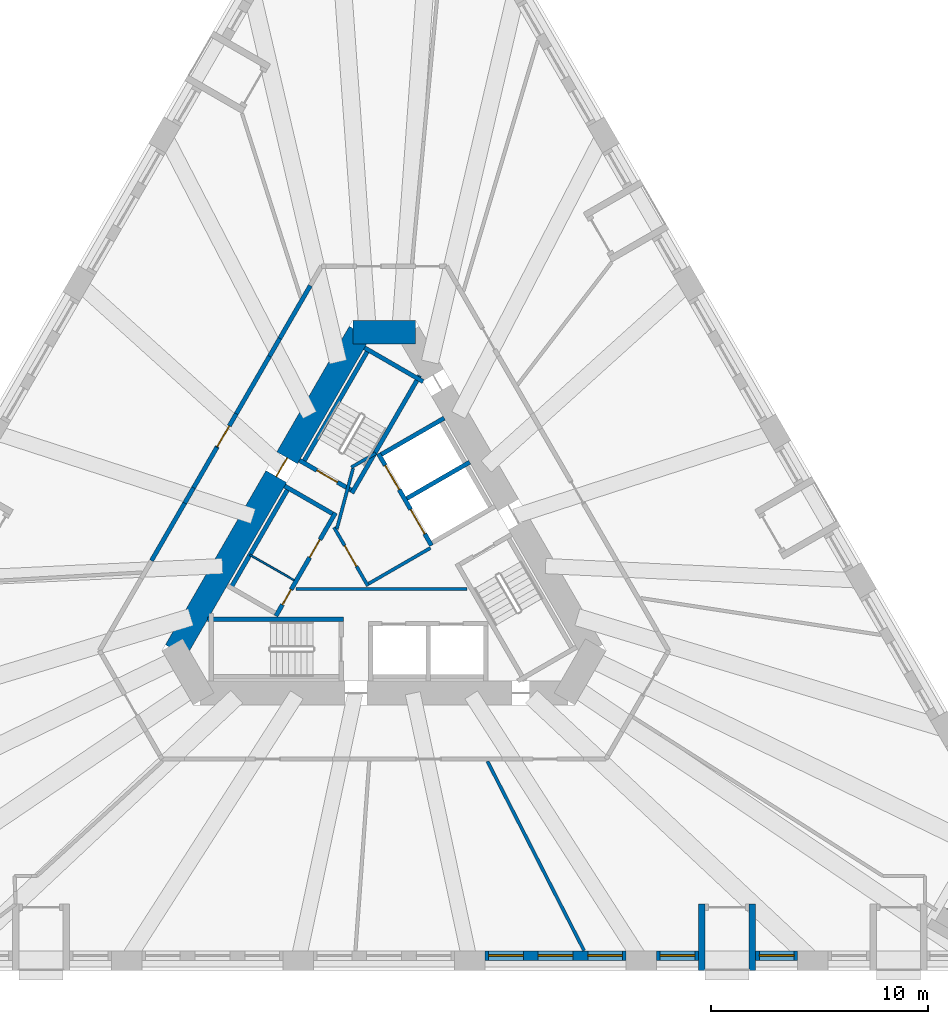
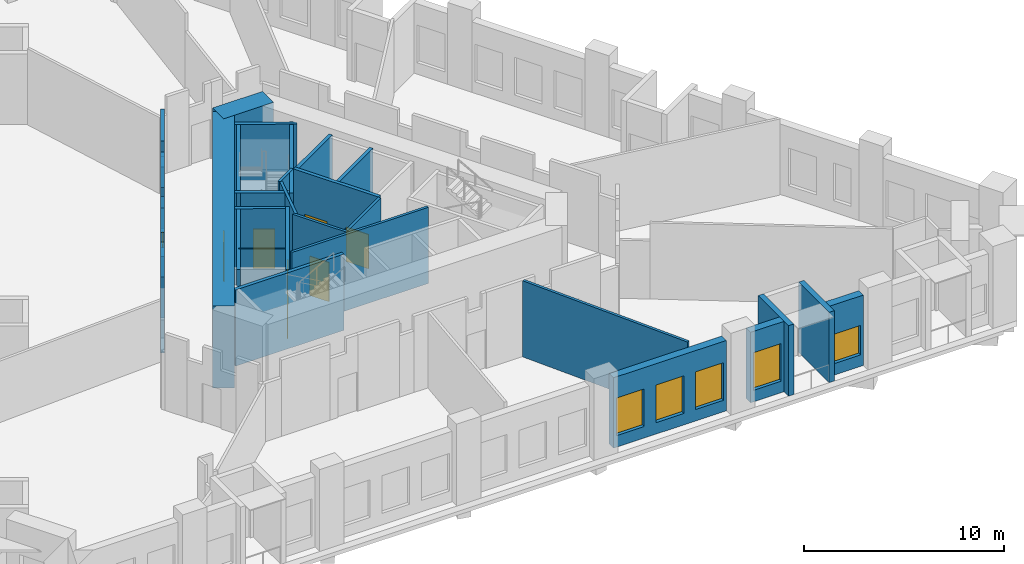
# One storey, part 4 of 12: 32 walls, 8 doors, 5 windows, 13 openings.
"""IFC4 building model written with IfcOpenShell, lengths in metres."""

from ifc_helpers import new_model, si_unit, direction, frame, frame_2d, origin, place, context, subcontext, project, spatial, polyline, rectangle, outline, extrude, material, layer, layer_set, type_object, element, fill, save


model = new_model("IFC4")

# Units and contexts
model_context = context("Model", 3, precision=1e-05, world=origin(), true_north=direction((0.0, 1.0)))
body_context = subcontext(model_context, "Body", "Model", "MODEL_VIEW")
ifc_project = project(units=[si_unit("LENGTHUNIT", "METRE"), si_unit("AREAUNIT", "SQUARE_METRE"), si_unit("VOLUMEUNIT", "CUBIC_METRE"), si_unit("PLANEANGLEUNIT", "RADIAN"), si_unit("MASSUNIT", "GRAM", prefix="KILO")], contexts=[model_context])

# Site, building, storey
site_placement = place(None, origin())
site = spatial("IfcSite", under=ifc_project, at=site_placement, CompositionType="ELEMENT")
building_placement = place(site_placement, origin())
building = spatial("IfcBuilding", under=site, at=building_placement, Name="Tramontana Tower", CompositionType="ELEMENT")
storey_placement = place(building_placement, frame((0.0, 0.0, 25.0)))
storey = spatial("IfcBuildingStorey", under=building, at=storey_placement, Name="L04", CompositionType="ELEMENT", Elevation=25.0)

# Wall
ifc_material_1 = material(Name="Concrete 70 MPa", Category="concrete")
ifc_layer_1 = layer(ifc_material_1, 1.10009765625)
ifc_layer_set_1 = layer_set([ifc_layer_1], Name="Core wall 1100 70 MPa")
wall_type_1 = type_object("IfcWallType", Name="Core wall 1100 70 MPa", PredefinedType="SHEAR", material=ifc_layer_set_1)
wall_1_placement = place(storey_placement, frame((1.443359375, 10.449951171875, 0.0), z_axis=(0.0, 0.0, 1.0), x_axis=(-1.0, 0.0, 0.0)))
element("IfcWall", 1, at=wall_1_placement, inside=storey, type_object=wall_type_1, Name="Core wall C0 L04", PredefinedType="SHEAR", context=body_context, shape_type="SweptSolid", body=[
    extrude(rectangle(XDim=2.88671875, YDim=1.10009765625, at=frame_2d((1.443359375, 0.0))), origin(), (0.0, 0.0, 1.0), 5.0),
])

# Wall, opening, door
wall_2_placement = place(storey_placement, frame((-1.125732421875, 10.449951171875, 0.0), z_axis=(0.0, 0.0, 1.0), x_axis=(-0.500001757713, -0.866024388966, 0.0)))
wall_2 = element("IfcWall", 2, at=wall_2_placement, inside=storey, type_object=wall_type_1, Name="Core wall C1 L04", PredefinedType="SHEAR", context=body_context, shape_type="SweptSolid", body=[
    extrude(rectangle(XDim=16.97412109375, YDim=1.10009765625, at=frame_2d((8.487060546875, 0.0))), origin(), (0.0, 0.0, 1.0), 5.0),
])
opening_1_placement = place(wall_2_placement, frame((6.692138671875, 0.0, 0.0)))
opening_1 = element("IfcOpeningElement", 3, at=opening_1_placement, cuts=wall_2, Name="Opening RG1", PredefinedType="OPENING", context=body_context, shape_type="SweptSolid", body=[
    extrude(rectangle(XDim=1.0, YDim=2.39990234375, at=frame_2d((0.5, 1.199951171875))), frame((0.0, 0.56005859375, 0.0), z_axis=(0.0, -1.0, 0.0), x_axis=(1.0, 0.0, 0.0)), (0.0, 0.0, 1.0), 1.1201171875),
])
ifc_material_2 = material(Name="Painted steel", Category="steel")
door_type_1 = type_object("IfcDoorType", Name="RING DOOR 1000", OperationType="SINGLE_SWING_LEFT", PredefinedType="DOOR", material=ifc_material_2)
door_1_placement = place(opening_1_placement, origin())
door_1 = element("IfcDoor", 4, at=door_1_placement, inside=storey, type_object=door_type_1, Name="Door RG1", OperationType="SINGLE_SWING_RIGHT", OverallHeight=2.39990234375, OverallWidth=1.0, PredefinedType="DOOR", context=body_context, shape_type="SweptSolid", body=[
    extrude(rectangle(XDim=1.0, YDim=2.39990234375, at=frame_2d((0.5, 1.199951171875))), frame((0.0, 0.02490234375, 0.0), z_axis=(0.0, -1.0, 0.0), x_axis=(1.0, 0.0, 0.0)), (0.0, 0.0, 1.0), 0.050048828125),
])
fill(opening_1, door_1)

# Walls
ifc_material_3 = material(Name="Blockwork", Category="masonry")
ifc_layer_2 = layer(ifc_material_3, 0.199951171875)
ifc_layer_set_2 = layer_set([ifc_layer_2], Name="ENTRY WALL 200")
wall_type_2 = type_object("IfcWallType", Name="ENTRY WALL 200", PredefinedType="SOLIDWALL", material=ifc_layer_set_2)
wall_3_placement = place(storey_placement, frame((-10.734375, -0.0927734375, 0.0), z_axis=(0.0, 0.0, 1.0), x_axis=(0.499952348839, 0.866052913447, 0.0)))
element("IfcWall", 5, at=wall_3_placement, inside=storey, type_object=wall_type_2, Name="Wall ew4-3", PredefinedType="SOLIDWALL", context=body_context, shape_type="SweptSolid", body=[
    extrude(rectangle(XDim=3.064208984375, YDim=0.199951171875, at=frame_2d((1.5322265625, 0.0))), origin(), (0.0, 0.0, 1.0), 4.64990234375),
])
wall_4_placement = place(storey_placement, frame((-9.202392578125, 2.56103515625, 0.0), z_axis=(0.0, 0.0, 1.0), x_axis=(0.500118501653, 0.865956976012, 0.0)))
element("IfcWall", 6, at=wall_4_placement, inside=storey, type_object=wall_type_2, Name="Wall ew4-4", PredefinedType="SOLIDWALL", context=body_context, shape_type="SweptSolid", body=[
    extrude(rectangle(XDim=0.818115234375, YDim=0.199951171875, at=frame_2d((0.4091796875, 0.0))), origin(), (0.0, 0.0, 1.0), 3.75),
])
wall_5_placement = place(storey_placement, frame((-8.793212890625, 3.26953125, 0.0), z_axis=(0.0, 0.0, 1.0), x_axis=(0.499909024581, 0.866077922096, 0.0)))
element("IfcWall", 7, at=wall_5_placement, inside=storey, type_object=wall_type_2, Name="Wall ew4-5", PredefinedType="SOLIDWALL", context=body_context, shape_type="SweptSolid", body=[
    extrude(rectangle(XDim=2.15234375, YDim=0.199951171875, at=frame_2d((1.076171875, 0.0))), origin(), (0.0, 0.0, 1.0), 4.64990234375),
])

# Wall, opening, door
wall_6_placement = place(storey_placement, frame((-7.71728515625, 5.133544921875, 0.0), z_axis=(0.0, 0.0, 1.0), x_axis=(0.5000715057, 0.865984116013, 0.0)))
wall_6 = element("IfcWall", 8, at=wall_6_placement, inside=storey, type_object=wall_type_2, Name="Wall ew4-6", PredefinedType="SOLIDWALL", context=body_context, shape_type="SweptSolid", body=[
    extrude(outline(polyline([(0.0, 0.0), (1.796142578125, 0.0), (1.796142578125, 3.75), (0.97802734375, 3.75), (0.97802734375, 4.64990234375), (0.0, 4.64990234375), (0.0, 0.0)])), frame((0.0, 0.10009765625, 0.0), z_axis=(0.0, -1.0, 0.0), x_axis=(1.0, 0.0, 0.0)), (0.0, 0.0, 1.0), 0.199951171875),
])
opening_2_placement = place(wall_6_placement, frame((0.050048828125, 0.0, 0.0)))
opening_2 = element("IfcOpeningElement", 9, at=opening_2_placement, cuts=wall_6, Name="Opening L04-01", PredefinedType="OPENING", context=body_context, shape_type="SweptSolid", body=[
    extrude(rectangle(XDim=1.10009765625, YDim=2.39990234375, at=frame_2d((0.550048828125, 1.199951171875))), frame((0.0, 0.10986328125, 0.0), z_axis=(0.0, -1.0, 0.0), x_axis=(1.0, 0.0, 0.0)), (0.0, 0.0, 1.0), 0.219970703125),
])
ifc_material_4 = material(Name="Painted timber", Category="wood")
door_type_2 = type_object("IfcDoorType", Name="DOOR ENTRY 1100", OperationType="SINGLE_SWING_LEFT", PredefinedType="DOOR", material=ifc_material_4)
door_2_placement = place(opening_2_placement, origin())
door_2 = element("IfcDoor", 10, at=door_2_placement, inside=storey, type_object=door_type_2, Name="Door L04-01", OperationType="SINGLE_SWING_LEFT", OverallHeight=2.39990234375, OverallWidth=1.10009765625, PredefinedType="DOOR", context=body_context, shape_type="SweptSolid", body=[
    extrude(rectangle(XDim=1.10009765625, YDim=2.39990234375, at=frame_2d((0.550048828125, 1.199951171875))), frame((0.0, 0.02490234375, 0.0), z_axis=(0.0, -1.0, 0.0), x_axis=(1.0, 0.0, 0.0)), (0.0, 0.0, 1.0), 0.050048828125),
])
fill(opening_2, door_2)

# Walls
wall_7_placement = place(storey_placement, frame((-6.819091796875, 6.68896484375, 0.0), z_axis=(0.0, 0.0, 1.0), x_axis=(0.499952348839, 0.866052913447, 0.0)))
element("IfcWall", 11, at=wall_7_placement, inside=storey, type_object=wall_type_2, Name="Wall ew4-7", PredefinedType="SOLIDWALL", context=body_context, shape_type="SweptSolid", body=[
    extrude(rectangle(XDim=3.064208984375, YDim=0.199951171875, at=frame_2d((1.5322265625, 0.0))), origin(), (0.0, 0.0, 1.0), 4.64990234375),
])
wall_8_placement = place(storey_placement, frame((-5.287109375, 9.3427734375, 0.0), z_axis=(0.0, 0.0, 1.0), x_axis=(0.500174821557, 0.865924446982, 0.0)))
element("IfcWall", 12, at=wall_8_placement, inside=storey, type_object=wall_type_2, Name="Wall ew4-8", PredefinedType="SOLIDWALL", context=body_context, shape_type="SweptSolid", body=[
    extrude(rectangle(XDim=0.949951171875, YDim=0.199951171875, at=frame_2d((0.47509765625, 0.0))), origin(), (0.0, 0.0, 1.0), 3.75),
])
wall_9_placement = place(storey_placement, frame((-4.81201171875, 10.165283203125, 0.0), z_axis=(0.0, 0.0, 1.0), x_axis=(0.500000186108, 0.866025296335, 0.0)))
element("IfcWall", 13, at=wall_9_placement, inside=storey, type_object=wall_type_2, Name="Wall ew4-9", PredefinedType="SOLIDWALL", context=body_context, shape_type="SweptSolid", body=[
    extrude(rectangle(XDim=2.8154296875, YDim=0.199951171875, at=frame_2d((1.40771484375, 0.0))), origin(), (0.0, 0.0, 1.0), 4.64990234375),
])

# Wall, openings, windows
ifc_material_5 = material(Name="Precast concrete 60 MPa", Category="concrete")
ifc_layer_3 = layer(ifc_material_5, 0.449951171875)
ifc_layer_set_3 = layer_set([ifc_layer_3], Name="Precast concrete 60 MPa, 450 mm")
wall_type_3 = type_object("IfcWallType", Name="EW1 Stone-faced precast wall 450", PredefinedType="SOLIDWALL", material=ifc_layer_set_3)
wall_10_placement = place(storey_placement, frame((4.658935546875, -18.324951171875, 0.0), z_axis=(0.0, 0.0, 1.0), x_axis=(1.0, 0.0, 0.0)))
wall_10 = element("IfcWall", 14, at=wall_10_placement, inside=storey, type_object=wall_type_3, Name="External wall L04 face 1 bay 5", PredefinedType="SOLIDWALL", context=body_context, shape_type="SweptSolid", body=[
    extrude(rectangle(XDim=6.51806640625, YDim=0.449951171875, at=frame_2d((3.259033203125, 0.0))), origin(), (0.0, 0.0, 1.0), 4.300048828125),
])
opening_3_placement = place(wall_10_placement, frame((0.169677734375, 0.0, 0.699951171875)))
opening_3 = element("IfcOpeningElement", 15, at=opening_3_placement, cuts=wall_10, Name="Opening M1", PredefinedType="OPENING", context=body_context, shape_type="SweptSolid", body=[
    extrude(rectangle(XDim=1.60009765625, YDim=2.300048828125, at=frame_2d((0.800048828125, 1.14990234375))), frame((0.0, 0.23486328125, 0.0), z_axis=(0.0, -1.0, 0.0), x_axis=(1.0, 0.0, 0.0)), (0.0, 0.0, 1.0), 0.469970703125),
])
opening_4_placement = place(wall_10_placement, frame((2.458984375, 0.0, 0.699951171875)))
opening_4 = element("IfcOpeningElement", 16, at=opening_4_placement, cuts=wall_10, Name="Opening M1", PredefinedType="OPENING", context=body_context, shape_type="SweptSolid", body=[
    extrude(rectangle(XDim=1.60009765625, YDim=2.300048828125, at=frame_2d((0.800048828125, 1.14990234375))), frame((0.0, 0.23486328125, 0.0), z_axis=(0.0, -1.0, 0.0), x_axis=(1.0, 0.0, 0.0)), (0.0, 0.0, 1.0), 0.469970703125),
])
opening_5_placement = place(wall_10_placement, frame((4.748291015625, 0.0, 0.699951171875)))
opening_5 = element("IfcOpeningElement", 17, at=opening_5_placement, cuts=wall_10, Name="Opening M1", PredefinedType="OPENING", context=body_context, shape_type="SweptSolid", body=[
    extrude(rectangle(XDim=1.60009765625, YDim=2.300048828125, at=frame_2d((0.800048828125, 1.14990234375))), frame((0.0, 0.23486328125, 0.0), z_axis=(0.0, -1.0, 0.0), x_axis=(1.0, 0.0, 0.0)), (0.0, 0.0, 1.0), 0.469970703125),
])
ifc_material_6 = material(Name="Aluminum frame, double glazing unit", Category="aluminium")
window_type_1 = type_object("IfcWindowType", Name="M1 Window 1.6 x 2.3", PartitioningType="SINGLE_PANEL", PredefinedType="WINDOW", material=ifc_material_6)
window_1_placement = place(opening_3_placement, origin())
window_1 = element("IfcWindow", 18, at=window_1_placement, inside=storey, type_object=window_type_1, Name="Window M1 L04 face 1 module 13", OverallHeight=2.300048828125, OverallWidth=1.60009765625, PartitioningType="SINGLE_PANEL", PredefinedType="WINDOW", context=body_context, shape_type="SweptSolid", body=[
    extrude(rectangle(XDim=1.60009765625, YDim=2.300048828125, at=frame_2d((0.800048828125, 1.14990234375))), frame((0.0, 0.030029296875, 0.0), z_axis=(0.0, -1.0, 0.0), x_axis=(1.0, 0.0, 0.0)), (0.0, 0.0, 1.0), 0.06005859375),
])
fill(opening_3, window_1)
window_2_placement = place(opening_4_placement, origin())
window_2 = element("IfcWindow", 19, at=window_2_placement, inside=storey, type_object=window_type_1, Name="Window M1 L04 face 1 module 14", OverallHeight=2.300048828125, OverallWidth=1.60009765625, PartitioningType="SINGLE_PANEL", PredefinedType="WINDOW", context=body_context, shape_type="SweptSolid", body=[
    extrude(rectangle(XDim=1.60009765625, YDim=2.300048828125, at=frame_2d((0.800048828125, 1.14990234375))), frame((0.0, 0.030029296875, 0.0), z_axis=(0.0, -1.0, 0.0), x_axis=(1.0, 0.0, 0.0)), (0.0, 0.0, 1.0), 0.06005859375),
])
fill(opening_4, window_2)
window_3_placement = place(opening_5_placement, origin())
window_3 = element("IfcWindow", 20, at=window_3_placement, inside=storey, type_object=window_type_1, Name="Window M1 L04 face 1 module 15", OverallHeight=2.300048828125, OverallWidth=1.60009765625, PartitioningType="SINGLE_PANEL", PredefinedType="WINDOW", context=body_context, shape_type="SweptSolid", body=[
    extrude(rectangle(XDim=1.60009765625, YDim=2.300048828125, at=frame_2d((0.800048828125, 1.14990234375))), frame((0.0, 0.030029296875, 0.0), z_axis=(0.0, -1.0, 0.0), x_axis=(1.0, 0.0, 0.0)), (0.0, 0.0, 1.0), 0.06005859375),
])
fill(opening_5, window_3)

# Wall, opening, window
wall_11_placement = place(storey_placement, frame((12.576904296875, -18.324951171875, 0.0), z_axis=(0.0, 0.0, 1.0), x_axis=(1.0, 0.0, 0.0)))
wall_11 = element("IfcWall", 21, at=wall_11_placement, inside=storey, type_object=wall_type_3, Name="External wall L04 face 1 bay 6", PredefinedType="SOLIDWALL", context=body_context, shape_type="SweptSolid", body=[
    extrude(rectangle(XDim=1.939208984375, YDim=0.449951171875, at=frame_2d((0.9697265625, 0.0))), origin(), (0.0, 0.0, 1.0), 4.300048828125),
])
opening_6_placement = place(wall_11_placement, frame((0.169677734375, 0.0, 0.699951171875)))
opening_6 = element("IfcOpeningElement", 22, at=opening_6_placement, cuts=wall_11, Name="Opening M1", PredefinedType="OPENING", context=body_context, shape_type="SweptSolid", body=[
    extrude(rectangle(XDim=1.60009765625, YDim=2.300048828125, at=frame_2d((0.800048828125, 1.14990234375))), frame((0.0, 0.23486328125, 0.0), z_axis=(0.0, -1.0, 0.0), x_axis=(1.0, 0.0, 0.0)), (0.0, 0.0, 1.0), 0.469970703125),
])
window_4_placement = place(opening_6_placement, origin())
window_4 = element("IfcWindow", 23, at=window_4_placement, inside=storey, type_object=window_type_1, Name="Window M1 L04 face 1 module 16", OverallHeight=2.300048828125, OverallWidth=1.60009765625, PartitioningType="SINGLE_PANEL", PredefinedType="WINDOW", context=body_context, shape_type="SweptSolid", body=[
    extrude(rectangle(XDim=1.60009765625, YDim=2.300048828125, at=frame_2d((0.800048828125, 1.14990234375))), frame((0.0, 0.030029296875, 0.0), z_axis=(0.0, -1.0, 0.0), x_axis=(1.0, 0.0, 0.0)), (0.0, 0.0, 1.0), 0.06005859375),
])
fill(opening_6, window_4)

wall_12_placement = place(storey_placement, frame((17.155517578125, -18.324951171875, 0.0), z_axis=(0.0, 0.0, 1.0), x_axis=(1.0, 0.0, 0.0)))
wall_12 = element("IfcWall", 24, at=wall_12_placement, inside=storey, type_object=wall_type_3, Name="External wall L04 face 1 bay 6", PredefinedType="SOLIDWALL", context=body_context, shape_type="SweptSolid", body=[
    extrude(rectangle(XDim=1.939453125, YDim=0.449951171875, at=frame_2d((0.9697265625, 0.0))), origin(), (0.0, 0.0, 1.0), 4.300048828125),
])
opening_7_placement = place(wall_12_placement, frame((0.169677734375, 0.0, 0.699951171875)))
opening_7 = element("IfcOpeningElement", 25, at=opening_7_placement, cuts=wall_12, Name="Opening M1L", PredefinedType="OPENING", context=body_context, shape_type="SweptSolid", body=[
    extrude(rectangle(XDim=1.60009765625, YDim=1.800048828125, at=frame_2d((0.800048828125, 0.89990234375))), frame((0.0, 0.23486328125, 0.0), z_axis=(0.0, -1.0, 0.0), x_axis=(1.0, 0.0, 0.0)), (0.0, 0.0, 1.0), 0.469970703125),
])
ifc_material_7 = material(Name="Aluminum frame, double glazing unit", Category="aluminium")
window_type_2 = type_object("IfcWindowType", Name="M1L Window 1.6 x 1.8", PartitioningType="SINGLE_PANEL", PredefinedType="WINDOW", material=ifc_material_7)
window_5_placement = place(opening_7_placement, origin())
window_5 = element("IfcWindow", 26, at=window_5_placement, inside=storey, type_object=window_type_2, Name="Window M1L L04 face 1 module 18", OverallHeight=1.800048828125, OverallWidth=1.60009765625, PartitioningType="SINGLE_PANEL", PredefinedType="WINDOW", context=body_context, shape_type="SweptSolid", body=[
    extrude(rectangle(XDim=1.60009765625, YDim=1.800048828125, at=frame_2d((0.800048828125, 0.89990234375))), frame((0.0, 0.030029296875, 0.0), z_axis=(0.0, -1.0, 0.0), x_axis=(1.0, 0.0, 0.0)), (0.0, 0.0, 1.0), 0.06005859375),
])
fill(opening_7, window_5)

# Walls
ifc_material_8 = material(Name="Precast concrete 60 MPa", Category="concrete")
ifc_layer_4 = layer(ifc_material_8, 0.300048828125)
ifc_layer_set_4 = layer_set([ifc_layer_4], Name="LW1 Stone-faced loggia wall 300")
wall_type_4 = type_object("IfcWallType", Name="LW1 Stone-faced loggia wall 300", PredefinedType="SOLIDWALL", material=ifc_layer_set_4)
for number, where, z_axis, x_axis, name in (
    (27, (14.666259765625, -19.0, 0.0), (0.0, 0.0, 1.0), (0.0, 1.0, 0.0), "Loggia return L04 G0S1.16a"),
    (28, (17.005615234375, -19.0, 0.0), (0.0, 0.0, 1.0), (0.0, 1.0, 0.0), "Loggia return L04 G0S1.16b"),
):
    element("IfcWall", number, at=place(storey_placement, frame(where, z_axis=z_axis, x_axis=x_axis)), inside=storey, type_object=wall_type_4, Name=name, PredefinedType="SOLIDWALL", context=body_context, shape_type="SweptSolid", body=[
        extrude(rectangle(XDim=3.050048828125, YDim=0.300048828125, at=frame_2d((1.52490234375, 0.0))), origin(), (0.0, 0.0, 1.0), 4.300048828125),
    ])

# Wall, opening, door
ifc_material_9 = material(Name="Gypsum board partition")
ifc_layer_5 = layer(ifc_material_9, 0.14990234375)
ifc_layer_set_5 = layer_set([ifc_layer_5], Name="PARTITION 150")
wall_type_5 = type_object("IfcWallType", Name="PARTITION 150", PredefinedType="PARTITIONING", material=ifc_layer_set_5)
wall_13_placement = place(storey_placement, frame((-0.744140625, -1.260986328125, 0.0), z_axis=(0.0, 0.0, 1.0), x_axis=(-0.500004234368, 0.866022959057, 0.0)))
wall_13 = element("IfcWall", 29, at=wall_13_placement, inside=storey, type_object=wall_type_5, Name="Wall ff-front", PredefinedType="PARTITIONING", context=body_context, shape_type="SweptSolid", body=[
    extrude(rectangle(XDim=3.125, YDim=0.14990234375, at=frame_2d((1.5625, 0.0))), origin(), (0.0, 0.0, 1.0), 4.64990234375),
])
opening_8_placement = place(wall_13_placement, frame((1.050048828125, 0.0, 0.0)))
opening_8 = element("IfcOpeningElement", 30, at=opening_8_placement, cuts=wall_13, Name="Opening FD1", PredefinedType="OPENING", context=body_context, shape_type="SweptSolid", body=[
    extrude(rectangle(XDim=1.10009765625, YDim=2.39990234375, at=frame_2d((0.550048828125, 1.199951171875))), frame((0.0, 0.0849609375, 0.0), z_axis=(0.0, -1.0, 0.0), x_axis=(1.0, 0.0, 0.0)), (0.0, 0.0, 1.0), 0.169921875),
])
door_3_placement = place(opening_8_placement, origin())
door_3 = element("IfcDoor", 31, at=door_3_placement, inside=storey, type_object=door_type_2, Name="Door FD1", OperationType="SINGLE_SWING_LEFT", OverallHeight=2.39990234375, OverallWidth=1.10009765625, PredefinedType="DOOR", context=body_context, shape_type="SweptSolid", body=[
    extrude(rectangle(XDim=1.10009765625, YDim=2.39990234375, at=frame_2d((0.550048828125, 1.199951171875))), frame((0.0, 0.02490234375, 0.0), z_axis=(0.0, -1.0, 0.0), x_axis=(1.0, 0.0, 0.0)), (0.0, 0.0, 1.0), 0.050048828125),
])
fill(opening_8, door_3)

# Walls
wall_14_placement = place(storey_placement, frame((-0.716796875, -1.15869140625, 0.0), z_axis=(0.0, 0.0, 1.0), x_axis=(0.866008176907, 0.50002983664, 0.0)))
element("IfcWall", 32, at=wall_14_placement, inside=storey, type_object=wall_type_5, Name="Wall ff-end0", PredefinedType="PARTITIONING", context=body_context, shape_type="SweptSolid", body=[
    extrude(rectangle(XDim=3.300048828125, YDim=0.14990234375, at=frame_2d((1.64990234375, 0.0))), origin(), (0.0, 0.0, 1.0), 4.64990234375),
])
wall_15_placement = place(storey_placement, frame((-2.177978515625, 1.372314453125, 0.0), z_axis=(0.0, 0.0, 1.0), x_axis=(0.258808958833, 0.96592852884, 0.0)))
element("IfcWall", 33, at=wall_15_placement, inside=storey, type_object=wall_type_5, Name="Wall ff-diag", PredefinedType="PARTITIONING", context=body_context, shape_type="SweptSolid", body=[
    extrude(rectangle(XDim=2.902587890625, YDim=0.14990234375, at=frame_2d((1.451171875, 0.0))), origin(), (0.0, 0.0, 1.0), 4.64990234375),
])
wall_16_placement = place(storey_placement, frame((-1.509765625, 4.21484375, 0.0), z_axis=(0.0, 0.0, 1.0), x_axis=(0.866085525409, 0.49989585183, 0.0)))
element("IfcWall", 34, at=wall_16_placement, inside=storey, type_object=wall_type_5, Name="Wall ff-end1", PredefinedType="PARTITIONING", context=body_context, shape_type="SweptSolid", body=[
    extrude(rectangle(XDim=1.300048828125, YDim=0.14990234375, at=frame_2d((0.64990234375, 0.0))), origin(), (0.0, 0.0, 1.0), 4.64990234375),
])
wall_17_placement = place(storey_placement, frame((-4.053466796875, -1.39990234375, 0.0), z_axis=(0.0, 0.0, 1.0), x_axis=(1.0, 0.0, 0.0)))
element("IfcWall", 35, at=wall_17_placement, inside=storey, type_object=wall_type_5, Name="Wall hub-cut1", PredefinedType="PARTITIONING", context=body_context, shape_type="SweptSolid", body=[
    extrude(rectangle(XDim=7.8759765625, YDim=0.14990234375, at=frame_2d((3.93798828125, 0.0))), origin(), (0.0, 0.0, 1.0), 4.64990234375),
])
wall_18_placement = place(storey_placement, frame((4.77197265625, -9.35009765625, 0.0), z_axis=(0.0, 0.0, 1.0), x_axis=(0.454584631779, -0.890703549196, 0.0)))
element("IfcWall", 36, at=wall_18_placement, inside=storey, type_object=wall_type_5, Name="Wall fw-pw09", PredefinedType="PARTITIONING", context=body_context, shape_type="SweptSolid", body=[
    extrude(rectangle(XDim=9.823486328125, YDim=0.14990234375, at=frame_2d((4.91162109375, 0.0))), origin(), (0.0, 0.0, 1.0), 4.64990234375),
])
ifc_material_10 = material(Name="Gypsum board partition")
ifc_layer_6 = layer(ifc_material_10, 0.080078125)
ifc_layer_set_6 = layer_set([ifc_layer_6], Name="PARTITION 80")
wall_type_6 = type_object("IfcWallType", Name="PARTITION 80", PredefinedType="PARTITIONING", material=ifc_layer_set_6)
wall_19_placement = place(storey_placement, frame((-4.15478515625, -0.99609375, 0.0), z_axis=(0.0, 0.0, 1.0), x_axis=(-0.866016039709, 0.500016218704, 0.0)))
element("IfcWall", 37, at=wall_19_placement, inside=storey, type_object=wall_type_6, Name="Wall row0-split", PredefinedType="PARTITIONING", context=body_context, shape_type="SweptSolid", body=[
    extrude(rectangle(XDim=2.35009765625, YDim=0.080078125, at=frame_2d((1.175048828125, 0.0))), origin(), (0.0, 0.0, 1.0), 4.64990234375),
])
ifc_material_11 = material(Name="Concrete 70 MPa", Category="concrete")
ifc_layer_7 = layer(ifc_material_11, 0.199951171875)
ifc_layer_set_7 = layer_set([ifc_layer_7], Name="Concrete 70 MPa, 200 mm")
wall_type_7 = type_object("IfcWallType", Name="RC SHAFT BACK WALL 200", PredefinedType="SOLIDWALL", material=ifc_layer_set_7)
wall_20_placement = place(storey_placement, frame((-0.679931640625, 9.722412109375, 0.0), z_axis=(0.0, 0.0, 1.0), x_axis=(-0.49998037582, -0.866036733513, 0.0)))
element("IfcWall", 38, at=wall_20_placement, inside=storey, type_object=wall_type_7, Name="Wall st1-back", PredefinedType="SOLIDWALL", context=body_context, shape_type="SweptSolid", body=[
    extrude(rectangle(XDim=6.199951171875, YDim=0.199951171875, at=frame_2d((3.10009765625, 0.0))), origin(), (0.0, 0.0, 1.0), 4.64990234375),
])
wall_21_placement = place(storey_placement, frame((-4.36474609375, 3.33984375, 0.0), z_axis=(0.0, 0.0, 1.0), x_axis=(-0.499996545922, -0.866027397988, 0.0)))
element("IfcWall", 39, at=wall_21_placement, inside=storey, type_object=wall_type_7, Name="Wall row0-back", PredefinedType="SOLIDWALL", context=body_context, shape_type="SweptSolid", body=[
    extrude(rectangle(XDim=5.5, YDim=0.199951171875, at=frame_2d((2.75, 0.0))), origin(), (0.0, 0.0, 1.0), 4.64990234375),
])
ifc_material_12 = material(Name="Concrete 70 MPa", Category="concrete")
ifc_layer_8 = layer(ifc_material_12, 0.199951171875)
ifc_layer_set_8 = layer_set([ifc_layer_8], Name="Concrete 70 MPa, 200 mm")
wall_type_8 = type_object("IfcWallType", Name="RC STAIR AND SHAFT WALL 200", PredefinedType="SOLIDWALL", material=ifc_layer_set_8)
wall_22_placement = place(storey_placement, frame((1.6455078125, 8.449951171875, 0.0), z_axis=(0.0, 0.0, 1.0), x_axis=(-0.500006002103, -0.866021938441, 0.0)))
element("IfcWall", 40, at=wall_22_placement, inside=storey, type_object=wall_type_8, Name="Wall st1-front", PredefinedType="SOLIDWALL", context=body_context, shape_type="SweptSolid", body=[
    extrude(rectangle(XDim=6.2607421875, YDim=0.199951171875, at=frame_2d((3.13037109375, 0.0))), origin(), (0.0, 0.0, 1.0), 4.64990234375),
])
wall_23_placement = place(storey_placement, frame((1.80615234375, 8.171875, 0.0), z_axis=(0.0, 0.0, 1.0), x_axis=(-0.866054327916, 0.499949898588, 0.0)))
element("IfcWall", 41, at=wall_23_placement, inside=storey, type_object=wall_type_8, Name="Wall st1-far", PredefinedType="SOLIDWALL", context=body_context, shape_type="SweptSolid", body=[
    extrude(rectangle(XDim=3.128173828125, YDim=0.199951171875, at=frame_2d((1.56396484375, 0.0))), origin(), (0.0, 0.0, 1.0), 4.64990234375),
])

# Wall, opening, door
wall_24_placement = place(storey_placement, frame((-1.521484375, 3.164794921875, 0.0), z_axis=(0.0, 0.0, 1.0), x_axis=(-0.866027397988, 0.499996545922, 0.0)))
wall_24 = element("IfcWall", 42, at=wall_24_placement, inside=storey, type_object=wall_type_8, Name="Wall st1-near", PredefinedType="SOLIDWALL", context=body_context, shape_type="SweptSolid", body=[
    extrude(rectangle(XDim=2.75, YDim=0.199951171875, at=frame_2d((1.375, 0.0))), origin(), (0.0, 0.0, 1.0), 4.64990234375),
])
opening_9_placement = place(wall_24_placement, frame((0.72509765625, 0.0, 0.0)))
opening_9 = element("IfcOpeningElement", 43, at=opening_9_placement, cuts=wall_24, Name="Opening SD1", PredefinedType="OPENING", context=body_context, shape_type="SweptSolid", body=[
    extrude(rectangle(XDim=1.10009765625, YDim=2.39990234375, at=frame_2d((0.550048828125, 1.199951171875))), frame((0.0, 0.10986328125, 0.0), z_axis=(0.0, -1.0, 0.0), x_axis=(1.0, 0.0, 0.0)), (0.0, 0.0, 1.0), 0.219970703125),
])
ifc_material_13 = material(Name="Painted steel", Category="steel")
door_type_3 = type_object("IfcDoorType", Name="STAIR DOOR 1100", OperationType="SINGLE_SWING_LEFT", PredefinedType="DOOR", material=ifc_material_13)
door_4_placement = place(opening_9_placement, origin())
door_4 = element("IfcDoor", 44, at=door_4_placement, inside=storey, type_object=door_type_3, Name="Door SD1", OperationType="SINGLE_SWING_RIGHT", OverallHeight=2.39990234375, OverallWidth=1.10009765625, PredefinedType="DOOR", context=body_context, shape_type="SweptSolid", body=[
    extrude(rectangle(XDim=1.10009765625, YDim=2.39990234375, at=frame_2d((0.550048828125, 1.199951171875))), frame((0.0, 0.02490234375, 0.0), z_axis=(0.0, -1.0, 0.0), x_axis=(1.0, 0.0, 0.0)), (0.0, 0.0, 1.0), 0.050048828125),
])
fill(opening_9, door_4)

# Wall
wall_25_placement = place(storey_placement, frame((-8.140625, -2.800048828125, 0.0), z_axis=(0.0, 0.0, 1.0), x_axis=(1.0, 0.0, 0.0)))
element("IfcWall", 45, at=wall_25_placement, inside=storey, type_object=wall_type_8, Name="Wall st2-front", PredefinedType="SOLIDWALL", context=body_context, shape_type="SweptSolid", body=[
    extrude(rectangle(XDim=6.2607421875, YDim=0.199951171875, at=frame_2d((3.13037109375, 0.0))), origin(), (0.0, 0.0, 1.0), 4.64990234375),
])

# Wall, openings, doors
wall_26_placement = place(storey_placement, frame((-4.9931640625, -2.648193359375, 0.0), z_axis=(0.0, 0.0, 1.0), x_axis=(0.499996545922, 0.866027397988, 0.0)))
wall_26 = element("IfcWall", 46, at=wall_26_placement, inside=storey, type_object=wall_type_8, Name="Wall row0-front", PredefinedType="SOLIDWALL", context=body_context, shape_type="SweptSolid", body=[
    extrude(rectangle(XDim=5.5, YDim=0.199951171875, at=frame_2d((2.75, 0.0))), origin(), (0.0, 0.0, 1.0), 4.64990234375),
])
opening_10_placement = place(wall_26_placement, frame((3.1201171875, 0.0, 0.0)))
opening_10 = element("IfcOpeningElement", 47, at=opening_10_placement, cuts=wall_26, Name="Opening RD-0A", PredefinedType="OPENING", context=body_context, shape_type="SweptSolid", body=[
    extrude(rectangle(XDim=0.949951171875, YDim=2.39990234375, at=frame_2d((0.47509765625, 1.199951171875))), frame((0.0, 0.10986328125, 0.0), z_axis=(0.0, -1.0, 0.0), x_axis=(1.0, 0.0, 0.0)), (0.0, 0.0, 1.0), 0.219970703125),
])
opening_11_placement = place(wall_26_placement, frame((0.60498046875, 0.0, 0.0)))
opening_11 = element("IfcOpeningElement", 48, at=opening_11_placement, cuts=wall_26, Name="Opening RD-0B", PredefinedType="OPENING", context=body_context, shape_type="SweptSolid", body=[
    extrude(rectangle(XDim=0.800048828125, YDim=2.10009765625, at=frame_2d((0.39990234375, 1.050048828125))), frame((0.0, 0.10986328125, 0.0), z_axis=(0.0, -1.0, 0.0), x_axis=(1.0, 0.0, 0.0)), (0.0, 0.0, 1.0), 0.219970703125),
])
ifc_material_14 = material(Name="Painted steel", Category="steel")
door_type_4 = type_object("IfcDoorType", Name="CUPBOARD DOOR 800", OperationType="SINGLE_SWING_LEFT", PredefinedType="DOOR", material=ifc_material_14)
door_5_placement = place(opening_11_placement, origin())
door_5 = element("IfcDoor", 49, at=door_5_placement, inside=storey, type_object=door_type_4, Name="Door RD-0B", OperationType="SINGLE_SWING_RIGHT", OverallHeight=2.10009765625, OverallWidth=0.800048828125, PredefinedType="DOOR", context=body_context, shape_type="SweptSolid", body=[
    extrude(rectangle(XDim=0.800048828125, YDim=2.10009765625, at=frame_2d((0.39990234375, 1.050048828125))), frame((0.0, 0.02490234375, 0.0), z_axis=(0.0, -1.0, 0.0), x_axis=(1.0, 0.0, 0.0)), (0.0, 0.0, 1.0), 0.050048828125),
])
fill(opening_11, door_5)
ifc_material_15 = material(Name="Painted timber", Category="wood")
door_type_5 = type_object("IfcDoorType", Name="DOOR ROOM 950", OperationType="SINGLE_SWING_LEFT", PredefinedType="DOOR", material=ifc_material_15)
door_6_placement = place(opening_10_placement, origin())
door_6 = element("IfcDoor", 50, at=door_6_placement, inside=storey, type_object=door_type_5, Name="Door RD-0A", OperationType="SINGLE_SWING_LEFT", OverallHeight=2.39990234375, OverallWidth=0.949951171875, PredefinedType="DOOR", context=body_context, shape_type="SweptSolid", body=[
    extrude(rectangle(XDim=0.949951171875, YDim=2.39990234375, at=frame_2d((0.47509765625, 1.199951171875))), frame((0.0, 0.02490234375, 0.0), z_axis=(0.0, -1.0, 0.0), x_axis=(1.0, 0.0, 0.0)), (0.0, 0.0, 1.0), 0.050048828125),
])
fill(opening_10, door_6)

# Wall
wall_27_placement = place(storey_placement, frame((-2.379638671875, 2.078369140625, 0.0), z_axis=(0.0, 0.0, 1.0), x_axis=(-0.866054858364, 0.499948979701, 0.0)))
element("IfcWall", 51, at=wall_27_placement, inside=storey, type_object=wall_type_8, Name="Wall row0-side0", PredefinedType="SOLIDWALL", context=body_context, shape_type="SweptSolid", body=[
    extrude(rectangle(XDim=2.550048828125, YDim=0.199951171875, at=frame_2d((1.27490234375, 0.0))), origin(), (0.0, 0.0, 1.0), 4.64990234375),
])

# Wall, openings, doors
wall_28_placement = place(storey_placement, frame((2.190185546875, 0.6064453125, 0.0), z_axis=(0.0, 0.0, 1.0), x_axis=(-0.500002801628, 0.866023786258, 0.0)))
wall_28 = element("IfcWall", 52, at=wall_28_placement, inside=storey, type_object=wall_type_8, Name="Wall row2-front", PredefinedType="SOLIDWALL", context=body_context, shape_type="SweptSolid", body=[
    extrude(rectangle(XDim=4.89990234375, YDim=0.199951171875, at=frame_2d((2.449951171875, 0.0))), origin(), (0.0, 0.0, 1.0), 4.64990234375),
])
opening_12_placement = place(wall_28_placement, frame((0.625, 0.0, 0.0)))
opening_12 = element("IfcOpeningElement", 53, at=opening_12_placement, cuts=wall_28, Name="Opening LD-F1", PredefinedType="OPENING", context=body_context, shape_type="SweptSolid", body=[
    extrude(rectangle(XDim=1.300048828125, YDim=2.10009765625, at=frame_2d((0.64990234375, 1.050048828125))), frame((0.0, 0.10986328125, 0.0), z_axis=(0.0, -1.0, 0.0), x_axis=(1.0, 0.0, 0.0)), (0.0, 0.0, 1.0), 0.219970703125),
])
opening_13_placement = place(wall_28_placement, frame((2.97509765625, 0.0, 0.0)))
opening_13 = element("IfcOpeningElement", 54, at=opening_13_placement, cuts=wall_28, Name="Opening LD-F2", PredefinedType="OPENING", context=body_context, shape_type="SweptSolid", body=[
    extrude(rectangle(XDim=1.300048828125, YDim=2.10009765625, at=frame_2d((0.64990234375, 1.050048828125))), frame((0.0, 0.10986328125, 0.0), z_axis=(0.0, -1.0, 0.0), x_axis=(1.0, 0.0, 0.0)), (0.0, 0.0, 1.0), 0.219970703125),
])
ifc_material_16 = material(Name="Brushed steel", Category="steel")
door_type_6 = type_object("IfcDoorType", Name="LANDING DOOR 1300", OperationType="SINGLE_SWING_LEFT", PredefinedType="DOOR", material=ifc_material_16)
door_7_placement = place(opening_12_placement, origin())
door_7 = element("IfcDoor", 55, at=door_7_placement, inside=storey, type_object=door_type_6, Name="Door LD-F1", OperationType="SLIDING_TO_LEFT", OverallHeight=2.10009765625, OverallWidth=1.300048828125, PredefinedType="DOOR", context=body_context, shape_type="SweptSolid", body=[
    extrude(rectangle(XDim=1.300048828125, YDim=2.10009765625, at=frame_2d((0.64990234375, 1.050048828125))), frame((0.0, 0.02490234375, 0.0), z_axis=(0.0, -1.0, 0.0), x_axis=(1.0, 0.0, 0.0)), (0.0, 0.0, 1.0), 0.050048828125),
])
fill(opening_12, door_7)
door_8_placement = place(opening_13_placement, origin())
door_8 = element("IfcDoor", 56, at=door_8_placement, inside=storey, type_object=door_type_6, Name="Door LD-F2", OperationType="SLIDING_TO_RIGHT", OverallHeight=2.10009765625, OverallWidth=1.300048828125, PredefinedType="DOOR", context=body_context, shape_type="SweptSolid", body=[
    extrude(rectangle(XDim=1.300048828125, YDim=2.10009765625, at=frame_2d((0.64990234375, 1.050048828125))), frame((0.0, 0.02490234375, 0.0), z_axis=(0.0, -1.0, 0.0), x_axis=(1.0, 0.0, 0.0)), (0.0, 0.0, 1.0), 0.050048828125),
])
fill(opening_13, door_8)

# Walls
wall_29_placement = place(storey_placement, frame((1.0517578125, 2.778076171875, 0.0), z_axis=(0.0, 0.0, 1.0), x_axis=(0.866032680314, 0.499987396469, 0.0)))
element("IfcWall", 57, at=wall_29_placement, inside=storey, type_object=wall_type_8, Name="Wall row2-side1", PredefinedType="SOLIDWALL", context=body_context, shape_type="SweptSolid", body=[
    extrude(rectangle(XDim=3.35009765625, YDim=0.199951171875, at=frame_2d((1.675048828125, 0.0))), origin(), (0.0, 0.0, 1.0), 4.64990234375),
])
wall_30_placement = place(storey_placement, frame((-0.123046875, 4.813232421875, 0.0), z_axis=(0.0, 0.0, 1.0), x_axis=(0.866014461049, 0.500018952895, 0.0)))
element("IfcWall", 58, at=wall_30_placement, inside=storey, type_object=wall_type_8, Name="Wall row2-side2", PredefinedType="SOLIDWALL", context=body_context, shape_type="SweptSolid", body=[
    extrude(rectangle(XDim=3.349853515625, YDim=0.199951171875, at=frame_2d((1.6748046875, 0.0))), origin(), (0.0, 0.0, 1.0), 4.64990234375),
])

save(model, "model.ifc")
